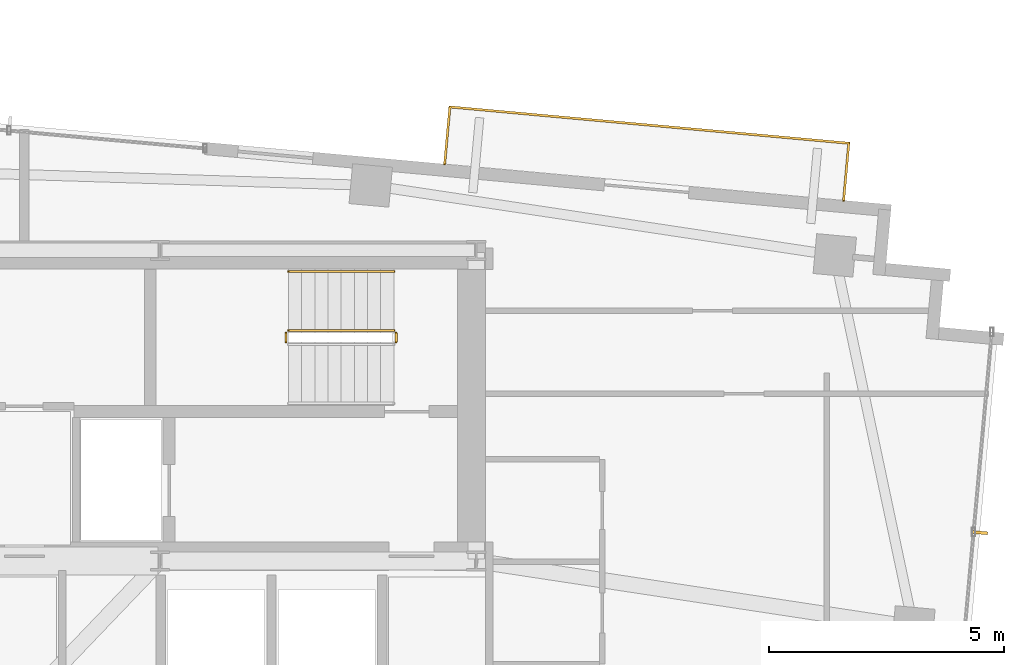
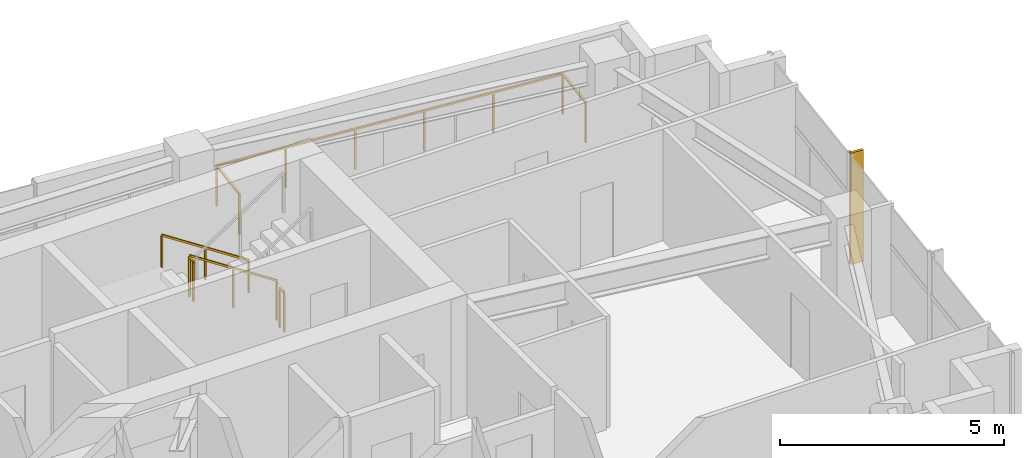
# One storey, part 22 of 22: 5 railings, 1 shading device.
"""IFC4 building model written with IfcOpenShell, lengths in metres."""

from ifc_helpers import new_model, si_unit, direction, frame, origin, origin_2d, place, context, subcontext, project, spatial, rectangle, extrude, source, transform, mapped, material, type_object, type_shapes, element, save


model = new_model("IFC4")

# Units and contexts
model_context = context("Model", 3, precision=1e-05, world=origin(), true_north=direction((0.0, 1.0)))
body_context = subcontext(model_context, "Body", "Model", "MODEL_VIEW")
ifc_project = project(units=[si_unit("LENGTHUNIT", "METRE"), si_unit("AREAUNIT", "SQUARE_METRE"), si_unit("VOLUMEUNIT", "CUBIC_METRE"), si_unit("PLANEANGLEUNIT", "RADIAN"), si_unit("MASSUNIT", "GRAM", prefix="KILO")], contexts=[model_context])

# Site, building, storey
site_placement = place(None, origin())
site = spatial("IfcSite", under=ifc_project, at=site_placement, CompositionType="ELEMENT")
building_placement = place(site_placement, origin())
building = spatial("IfcBuilding", under=site, at=building_placement, Name="Astriad Promenade Condominiums", CompositionType="ELEMENT")
storey_placement = place(building_placement, frame((0.0, 0.0, 243.0)))
storey = spatial("IfcBuildingStorey", under=building, at=storey_placement, Name="L70", CompositionType="ELEMENT", Elevation=243.0)

# Shading device
ifc_material_1 = material(Name="Anodised aluminium 6063-T6 Black Fin", Category="aluminium")
shading_device_type = type_object("IfcShadingDeviceType", Name="FIN-BLACK-260", PredefinedType="USERDEFINED", material=ifc_material_1)
shared_shape_1 = source(origin(), body_context, "Body", "SweptSolid", [
    extrude(rectangle(XDim=0.06494140625, YDim=0.320068359375, at=origin_2d()), origin(), (0.0, 0.0, 1.0), 3.0400390625),
])
type_shapes(shading_device_type, [shared_shape_1])
shading_device_placement = place(storey_placement, frame((56.306884765625, 18.0029296875, 0.0), z_axis=(0.0, 0.0, 1.0), x_axis=(-0.090632580198, -0.995884398616, 0.0)))
element("IfcShadingDevice", 1, at=shading_device_placement, inside=storey, type_object=shading_device_type, Name="CW-L70-E-FIN-01", ObjectType="FIN", PredefinedType="USERDEFINED", context=body_context, shape_type="MappedRepresentation", body=[
    mapped(shared_shape_1, transform((0.0, 0.0, 0.0), scale=1.0)),
])

# Railings
ifc_material_2 = material(Name="Laminated Glass and Stainless Steel Balustrade", Category="steel")
railing_type_1 = type_object("IfcRailingType", Name="GRD-BALC-1120", PredefinedType="BALUSTRADE", material=ifc_material_2)
shared_shape_2 = source(origin(), body_context, "Body", "SweptSolid", [
    extrude(rectangle(XDim=0.048095703125, YDim=0.048095703125, at=origin_2d()), frame((0.0, 0.0, 1.09619140625), z_axis=(0.090643994769, 0.995883359743, 0.0), x_axis=(-0.995883359743, 0.090643994769, 0.0)), (0.0, 0.0, 1.0), 1.22021484375),
    extrude(rectangle(XDim=0.048095703125, YDim=0.048095703125, at=origin_2d()), frame((0.110595703125, 1.215087890625, 1.09619140625), z_axis=(-0.995885914428, 0.090615922682, 0.0), x_axis=(-0.090615922682, -0.995885914428, 0.0)), (0.0, 0.0, 1.0), 8.510986328125),
    extrude(rectangle(XDim=0.048095703125, YDim=0.048095703125, at=origin_2d()), frame((-8.365478515625, 1.986328125, 1.09619140625), z_axis=(-0.09066206129, -0.995881715186, 0.0), x_axis=(0.995881715186, -0.09066206129, 0.0)), (0.0, 0.0, 1.0), 1.219970703125),
    extrude(rectangle(XDim=0.0419921875, YDim=0.0419921875, at=origin_2d()), origin(), (0.0, 0.0, 1.0), 1.072021484375),
    extrude(rectangle(XDim=0.0419921875, YDim=0.0419921875, at=origin_2d()), frame((0.110595703125, 1.215087890625, 0.0)), (0.0, 0.0, 1.0), 1.072021484375),
    extrude(rectangle(XDim=0.0419921875, YDim=0.0419921875, at=origin_2d()), frame((-1.584716796875, 1.369384765625, 0.0)), (0.0, 0.0, 1.0), 1.072021484375),
    extrude(rectangle(XDim=0.0419921875, YDim=0.0419921875, at=origin_2d()), frame((-3.27978515625, 1.523681640625, 0.0)), (0.0, 0.0, 1.0), 1.072021484375),
    extrude(rectangle(XDim=0.0419921875, YDim=0.0419921875, at=origin_2d()), frame((-4.97509765625, 1.677734375, 0.0)), (0.0, 0.0, 1.0), 1.072021484375),
    extrude(rectangle(XDim=0.0419921875, YDim=0.0419921875, at=origin_2d()), frame((-6.670166015625, 1.83203125, 0.0)), (0.0, 0.0, 1.0), 1.072021484375),
    extrude(rectangle(XDim=0.0419921875, YDim=0.0419921875, at=origin_2d()), frame((-8.365478515625, 1.986328125, 0.0)), (0.0, 0.0, 1.0), 1.072021484375),
    extrude(rectangle(XDim=0.0419921875, YDim=0.0419921875, at=origin_2d()), frame((-8.47607421875, 0.771484375, 0.0)), (0.0, 0.0, 1.0), 1.072021484375),
])
type_shapes(railing_type_1, [shared_shape_2])
railing_1_placement = place(storey_placement, frame((53.40576171875, 25.0615234375, 0.0)))
element("IfcRailing", 2, at=railing_1_placement, inside=storey, type_object=railing_type_1, Name="GRD-BALC-L70-NE", PredefinedType="BALUSTRADE", context=body_context, shape_type="MappedRepresentation", body=[
    mapped(shared_shape_2, transform((0.0, 0.0, 0.0), scale=1.0)),
])
ifc_material_3 = material(Name="Painted Galvanised Steel Guardrail", Category="steel")
railing_type_2 = type_object("IfcRailingType", Name="GRD-STAIR-1100", PredefinedType="GUARDRAIL", material=ifc_material_3)
shared_shape_3 = source(origin(), body_context, "Body", "SweptSolid", [
    extrude(rectangle(XDim=0.048095703125, YDim=0.048095703125, at=origin_2d()), frame((0.0, 0.0, 1.076171875), z_axis=(-0.836636935527, 0.0, 0.547757827979), x_axis=(0.0, -1.0, 0.0)), (0.0, 0.0, 1.0), 2.677490234375),
    extrude(rectangle(XDim=0.0419921875, YDim=0.0419921875, at=origin_2d()), origin(), (0.0, 0.0, 1.0), 1.052001953125),
    extrude(rectangle(XDim=0.0419921875, YDim=0.0419921875, at=origin_2d()), frame((-1.1201171875, 0.0, 0.7333984375)), (0.0, 0.0, 1.0), 1.052001953125),
    extrude(rectangle(XDim=0.0419921875, YDim=0.0419921875, at=origin_2d()), frame((-2.239990234375, 0.0, 1.466552734375)), (0.0, 0.0, 1.0), 1.052001953125),
])
railing_2_placement = place(storey_placement, frame((43.85009765625, 22.300048828125, 0.183349609375)))
element("IfcRailing", 3, at=railing_2_placement, inside=storey, type_object=railing_type_2, Name="L70 ST-2 stair guard 1", PredefinedType="GUARDRAIL", context=body_context, shape_type="MappedRepresentation", body=[
    mapped(shared_shape_3, transform((0.0, 0.0, 0.0), scale=1.0)),
])
ifc_material_4 = material(Name="Brushed Stainless Steel Handrail", Category="steel")
railing_type_3 = type_object("IfcRailingType", Name="HRL-STAIR-920", PredefinedType="HANDRAIL", material=ifc_material_4)
shared_shape_4 = source(origin(), body_context, "Body", "SweptSolid", [
    extrude(rectangle(XDim=0.048095703125, YDim=0.048095703125, at=origin_2d()), frame((0.0, 0.0, 0.8759765625), z_axis=(-0.836636935527, 0.0, 0.547757827979), x_axis=(0.0, -1.0, 0.0)), (0.0, 0.0, 1.0), 2.677490234375),
    extrude(rectangle(XDim=0.0419921875, YDim=0.0419921875, at=origin_2d()), origin(), (0.0, 0.0, 1.0), 0.851806640625),
    extrude(rectangle(XDim=0.0419921875, YDim=0.0419921875, at=origin_2d()), frame((-1.1201171875, 0.0, 0.7333984375)), (0.0, 0.0, 1.0), 0.851806640625),
    extrude(rectangle(XDim=0.0419921875, YDim=0.0419921875, at=origin_2d()), frame((-2.239990234375, 0.0, 1.466552734375)), (0.0, 0.0, 1.0), 0.851806640625),
])
type_shapes(railing_type_3, [shared_shape_4])
railing_3_placement = place(storey_placement, frame((43.85009765625, 23.550048828125, 0.183349609375)))
element("IfcRailing", 4, at=railing_3_placement, inside=storey, type_object=railing_type_3, Name="L70 ST-2 stair handrail 1", PredefinedType="HANDRAIL", context=body_context, shape_type="MappedRepresentation", body=[
    mapped(shared_shape_4, transform((0.0, 0.0, 0.0), scale=1.0)),
])
shared_shape_5 = source(origin(), body_context, "Body", "SweptSolid", [
    extrude(rectangle(XDim=0.048095703125, YDim=0.048095703125, at=origin_2d()), frame((0.0, 0.0, 1.076171875), z_axis=(0.0, -1.0, 0.0), x_axis=(1.0, 0.0, 0.0)), (0.0, 0.0, 1.0), 0.199951171875),
    extrude(rectangle(XDim=0.0419921875, YDim=0.0419921875, at=origin_2d()), origin(), (0.0, 0.0, 1.0), 1.052001953125),
    extrude(rectangle(XDim=0.0419921875, YDim=0.0419921875, at=origin_2d()), frame((0.0, -0.199951171875, 0.0)), (0.0, 0.0, 1.0), 1.052001953125),
])
type_shapes(railing_type_2, [shared_shape_3, shared_shape_5])
for number, where, name in (
    (5, (41.56005859375, 22.25, 1.64990234375), "L70 ST-2 stair guard 2"),
    (6, (43.89990234375, 22.25, 0.0), "L70 ST-2 stair guard 4"),
):
    element("IfcRailing", number, at=place(storey_placement, frame(where)), inside=storey, type_object=railing_type_2, Name=name, PredefinedType="GUARDRAIL", context=body_context, shape_type="MappedRepresentation", body=[
        mapped(shared_shape_5, transform((0.0, 0.0, 0.0), scale=1.0)),
    ])

save(model, "model.ifc")
